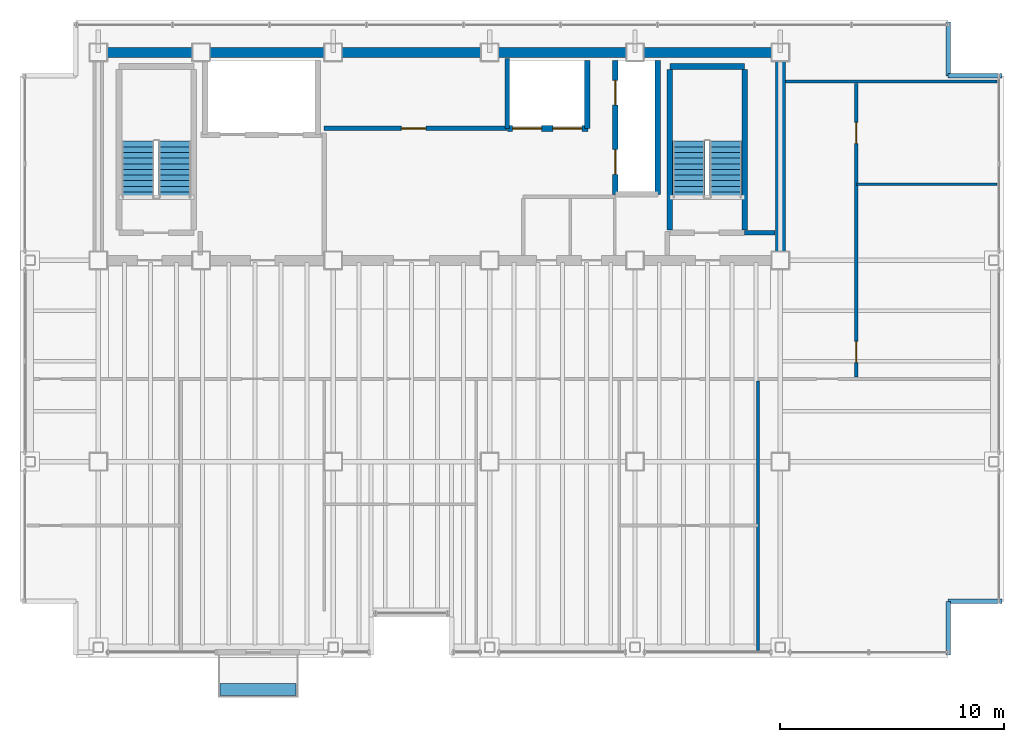
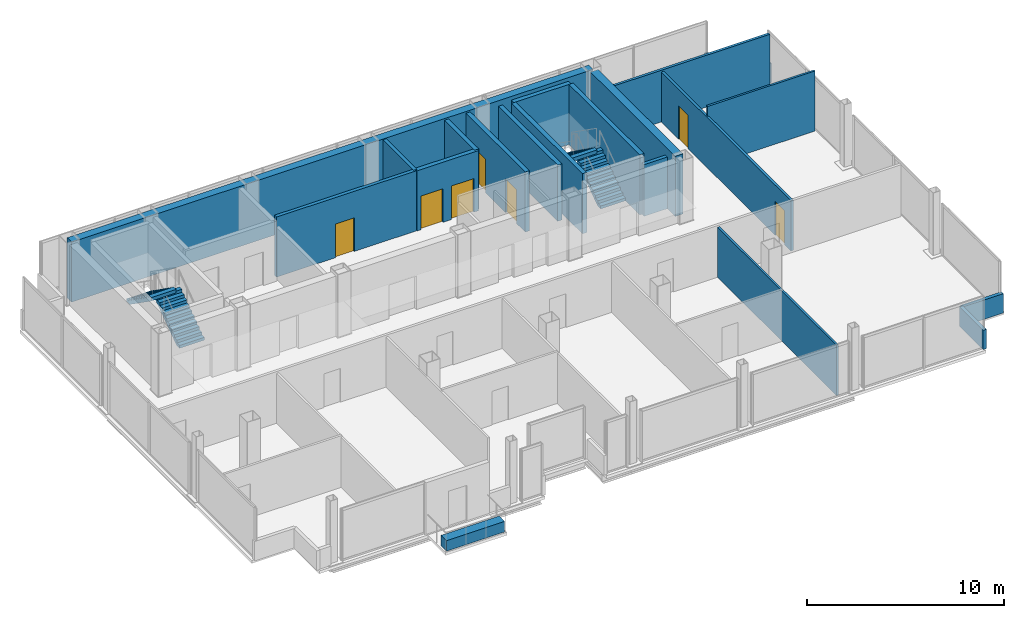
# One storey, part 14 of 15: 20 walls, 7 doors, 4 stair flights, 1 discrete accessory, 7 openings, 2 elements without a shape of their own.
"""IFC4 building model written with IfcOpenShell, lengths in metres."""

from ifc_helpers import new_model, si_unit, direction, frame, frame_2d, origin, origin_2d, place, context, subcontext, project, spatial, polyline, rectangle, outline, extrude, material, layer, layer_set, type_object, element, fill, aggregate, save


model = new_model("IFC4")

# Units and contexts
model_context = context("Model", 3, precision=1e-05, world=origin(), true_north=direction((0.0, 1.0)))
body_context = subcontext(model_context, "Body", "Model", "MODEL_VIEW")
ifc_project = project(units=[si_unit("LENGTHUNIT", "METRE"), si_unit("AREAUNIT", "SQUARE_METRE"), si_unit("VOLUMEUNIT", "CUBIC_METRE"), si_unit("PLANEANGLEUNIT", "RADIAN"), si_unit("MASSUNIT", "GRAM", prefix="KILO")], contexts=[model_context])

# Site, building, storey
site_placement = place(None, origin())
site = spatial("IfcSite", under=ifc_project, at=site_placement, CompositionType="ELEMENT")
building_placement = place(site_placement, origin())
building = spatial("IfcBuilding", under=site, at=building_placement, Name="Noeulbin Bourse Tower", CompositionType="ELEMENT")
storey_placement = place(building_placement, frame((0.0, 0.0, 222.800048828125)))
storey = spatial("IfcBuildingStorey", under=building, at=storey_placement, Name="L55", CompositionType="ELEMENT", Elevation=222.800048828125)

# Walls
ifc_material_1 = material(Name="Concrete C50/60", Category="concrete")
ifc_layer_1 = layer(ifc_material_1, 0.449951171875)
ifc_layer_set_1 = layer_set([ifc_layer_1], Name="Concrete C50/60")
wall_type_1 = type_object("IfcWallType", Name="WAL-CORE-450", PredefinedType="SHEAR", material=ifc_layer_set_1)
wall_1_placement = place(storey_placement, frame((13.5, 38.300048828125, 0.0), z_axis=(0.0, 0.0, 1.0), x_axis=(1.0, 0.0, 0.0)))
element("IfcWall", 1, at=wall_1_placement, inside=storey, type_object=wall_type_1, Name="Rear Core North Shear Wall L55", PredefinedType="SHEAR", context=body_context, shape_type="SweptSolid", body=[
    extrude(rectangle(XDim=30.5, YDim=0.449951171875, at=frame_2d((15.25, 0.0))), origin(), (0.0, 0.0, 1.0), 3.719970703125),
])
wall_2_placement = place(storey_placement, frame((44.0, 29.35009765625, 0.0), z_axis=(0.0, 0.0, 1.0), x_axis=(0.0, 1.0, 0.0)))
element("IfcWall", 2, at=wall_2_placement, inside=storey, type_object=wall_type_1, Name="Rear Core East Shear Wall L55", PredefinedType="SHEAR", context=body_context, shape_type="SweptSolid", body=[
    extrude(rectangle(XDim=8.599853515625, YDim=0.449951171875, at=frame_2d((4.2998046875, 0.0))), origin(), (0.0, 0.0, 1.0), 3.719970703125),
])
ifc_material_2 = material(Name="Concrete C40/50", Category="concrete")
ifc_layer_2 = layer(ifc_material_2, 0.199951171875)
ifc_layer_set_2 = layer_set([ifc_layer_2], Name="Concrete C40/50")
wall_type_2 = type_object("IfcWallType", Name="WAL-FIRE-200", PredefinedType="STANDARD", material=ifc_layer_set_2)
wall_3_placement = place(storey_placement, frame((42.39990234375, 30.239990234375, 0.0), z_axis=(0.0, 0.0, 1.0), x_axis=(1.0, 0.0, 0.0)))
element("IfcWall", 3, at=wall_3_placement, inside=storey, type_object=wall_type_2, Name="Interior Partition Wall L55-01", PredefinedType="STANDARD", context=body_context, shape_type="SweptSolid", body=[
    extrude(rectangle(XDim=1.364990234375, YDim=0.199951171875, at=frame_2d((0.6826171875, 0.0))), origin(), (0.0, 0.0, 1.0), 3.199951171875),
])

# Wall, opening, door
wall_4_placement = place(storey_placement, frame((23.60009765625, 34.89990234375, 0.0), z_axis=(0.0, 0.0, 1.0), x_axis=(1.0, 0.0, 0.0)))
wall_4 = element("IfcWall", 4, at=wall_4_placement, inside=storey, type_object=wall_type_2, Name="Interior Partition Wall L55-02", PredefinedType="STANDARD", context=body_context, shape_type="SweptSolid", body=[
    extrude(rectangle(XDim=8.179931640625, YDim=0.199951171875, at=frame_2d((4.08984375, 0.0))), origin(), (0.0, 0.0, 1.0), 3.719970703125),
])
opening_1_placement = place(wall_4_placement, frame((3.449951171875, 0.0, 0.0)))
opening_1 = element("IfcOpeningElement", 5, at=opening_1_placement, cuts=wall_4, Name="Opening FD-11", PredefinedType="OPENING", context=body_context, shape_type="SweptSolid", body=[
    extrude(rectangle(XDim=1.10009765625, YDim=2.080078125, at=frame_2d((0.550048828125, 1.0400390625))), frame((0.0, 0.10986328125, 0.0), z_axis=(0.0, -1.0, 0.0), x_axis=(1.0, 0.0, 0.0)), (0.0, 0.0, 1.0), 0.219970703125),
])
ifc_material_3 = material(Name="Fire-Rated Insulated Steel", Category="steel")
door_type_1 = type_object("IfcDoorType", Name="DR-FD60-1100", OperationType="SINGLE_SWING_LEFT", PredefinedType="DOOR", material=ifc_material_3)
door_1_placement = place(opening_1_placement, origin())
door_1 = element("IfcDoor", 6, at=door_1_placement, inside=storey, type_object=door_type_1, Name="Telemetry Server Door L55", OperationType="SINGLE_SWING_RIGHT", OverallHeight=2.080078125, OverallWidth=1.10009765625, PredefinedType="DOOR", context=body_context, shape_type="SweptSolid", body=[
    extrude(rectangle(XDim=1.10009765625, YDim=2.080078125, at=frame_2d((0.550048828125, 1.0400390625))), frame((0.0, 0.02490234375, 0.0), z_axis=(0.0, -1.0, 0.0), x_axis=(1.0, 0.0, 0.0)), (0.0, 0.0, 1.0), 0.050048828125),
])
fill(opening_1, door_1)

# Walls
ifc_layer_3 = layer(ifc_material_2, 0.199951171875)
ifc_layer_set_3 = layer_set([ifc_layer_3], Name="Concrete C40/50")
wall_type_3 = type_object("IfcWallType", Name="WAL-PAR-200", PredefinedType="PARAPET", material=ifc_layer_set_3)
for number, where, z_axis, x_axis, name in (
    (7, (51.5, 11.35009765625, 0.0), (0.0, 0.0, 1.0), (0.0, 1.0, 0.0), "Corner Notch Parapet L55-SE1"),
    (8, (51.5, 13.75, 0.0), (0.0, 0.0, 1.0), (1.0, 0.0, 0.0), "Corner Notch Parapet L55-SE2"),
    (9, (51.5, 39.64990234375, 0.0), (0.0, 0.0, 1.0), (0.0, -1.0, 0.0), "Corner Notch Parapet L55-NE1"),
    (10, (51.5, 37.25, 0.0), (0.0, 0.0, 1.0), (1.0, 0.0, 0.0), "Corner Notch Parapet L55-NE2"),
):
    element("IfcWall", number, at=place(storey_placement, frame(where, z_axis=z_axis, x_axis=x_axis)), inside=storey, type_object=wall_type_3, Name=name, PredefinedType="PARAPET", context=body_context, shape_type="SweptSolid", body=[
        extrude(rectangle(XDim=2.39990234375, YDim=0.199951171875, at=frame_2d((1.199951171875, 0.0))), origin(), (0.0, 0.0, 1.0), 1.199951171875),
    ])
ifc_material_4 = material(Name="Steel Stud Gypsum Partition", Category="steel")
ifc_layer_4 = layer(ifc_material_4, 0.1201171875)
ifc_layer_set_4 = layer_set([ifc_layer_4], Name="Steel Stud Gypsum Partition")
wall_type_4 = type_object("IfcWallType", Name="WAL-PRT-120", PredefinedType="PARTITIONING", material=ifc_layer_set_4)
wall_5_placement = place(storey_placement, frame((47.39990234375, 32.39990234375, 0.0), z_axis=(0.0, 0.0, 1.0), x_axis=(1.0, 0.0, 0.0)))
element("IfcWall", 11, at=wall_5_placement, inside=storey, type_object=wall_type_4, Name="Interior Partition Wall L55-09", PredefinedType="PARTITIONING", context=body_context, shape_type="SweptSolid", body=[
    extrude(rectangle(XDim=6.2900390625, YDim=0.1201171875, at=frame_2d((3.14501953125, 0.0))), origin(), (0.0, 0.0, 1.0), 3.719970703125),
])
wall_6_placement = place(storey_placement, frame((43.0, 11.56005859375, 0.0), z_axis=(0.0, 0.0, 1.0), x_axis=(0.0, 1.0, 0.0)))
element("IfcWall", 12, at=wall_6_placement, inside=storey, type_object=wall_type_4, Name="Interior Partition Wall L55-21", PredefinedType="PARTITIONING", context=body_context, shape_type="SweptSolid", body=[
    extrude(rectangle(XDim=12.054931640625, YDim=0.1201171875, at=frame_2d((6.02734375, 0.0))), origin(), (0.0, 0.0, 1.0), 3.099853515625),
])
ifc_material_5 = material(Name="Steel Stud Acoustic Gypsum Board", Category="steel")
ifc_layer_5 = layer(ifc_material_5, 0.14990234375)
ifc_layer_set_5 = layer_set([ifc_layer_5], Name="Steel Stud Acoustic Gypsum Board")
wall_type_5 = type_object("IfcWallType", Name="WAL-PRT-150", PredefinedType="PARTITIONING", material=ifc_layer_set_5)
wall_7_placement = place(storey_placement, frame((44.235107421875, 37.0, 0.0), z_axis=(0.0, 0.0, 1.0), x_axis=(1.0, 0.0, 0.0)))
element("IfcWall", 13, at=wall_7_placement, inside=storey, type_object=wall_type_5, Name="Interior Partition Wall L55-05", PredefinedType="PARTITIONING", context=body_context, shape_type="SweptSolid", body=[
    extrude(rectangle(XDim=9.454833984375, YDim=0.14990234375, at=frame_2d((4.7275390625, 0.0))), origin(), (0.0, 0.0, 1.0), 3.199951171875),
])

# Wall, openings, doors
wall_8_placement = place(storey_placement, frame((47.39990234375, 23.784912109375, 0.0), z_axis=(0.0, 0.0, 1.0), x_axis=(0.0, 1.0, 0.0)))
wall_8 = element("IfcWall", 14, at=wall_8_placement, inside=storey, type_object=wall_type_5, Name="Interior Partition Wall L55-16", PredefinedType="PARTITIONING", context=body_context, shape_type="SweptSolid", body=[
    extrude(rectangle(XDim=13.130126953125, YDim=0.14990234375, at=frame_2d((6.56494140625, 0.0))), origin(), (0.0, 0.0, 1.0), 3.099853515625),
])
opening_2_placement = place(wall_8_placement, frame((0.639892578125, 0.0, 0.0)))
opening_2 = element("IfcOpeningElement", 15, at=opening_2_placement, cuts=wall_8, Name="Opening ID-09", PredefinedType="OPENING", context=body_context, shape_type="SweptSolid", body=[
    extrude(rectangle(XDim=0.949951171875, YDim=2.080078125, at=frame_2d((0.47509765625, 1.0400390625))), frame((0.0, 0.0849609375, 0.0), z_axis=(0.0, -1.0, 0.0), x_axis=(1.0, 0.0, 0.0)), (0.0, 0.0, 1.0), 0.169921875),
])
opening_3_placement = place(wall_8_placement, frame((10.43994140625, 0.0, 0.0)))
opening_3 = element("IfcOpeningElement", 16, at=opening_3_placement, cuts=wall_8, Name="Opening ID-09", PredefinedType="OPENING", context=body_context, shape_type="SweptSolid", body=[
    extrude(rectangle(XDim=0.949951171875, YDim=2.080078125, at=frame_2d((0.47509765625, 1.0400390625))), frame((0.0, 0.0849609375, 0.0), z_axis=(0.0, -1.0, 0.0), x_axis=(1.0, 0.0, 0.0)), (0.0, 0.0, 1.0), 0.169921875),
])
ifc_material_6 = material(Name="Acoustic Solid-Core Timber", Category="wood")
door_type_2 = type_object("IfcDoorType", Name="DR-SINGLE-950", OperationType="SINGLE_SWING_LEFT", PredefinedType="DOOR", material=ifc_material_6)
door_2_placement = place(opening_2_placement, origin())
door_2 = element("IfcDoor", 17, at=door_2_placement, inside=storey, type_object=door_type_2, Name="Interior Door L55-17", OperationType="SINGLE_SWING_RIGHT", OverallHeight=2.080078125, OverallWidth=0.949951171875, PredefinedType="DOOR", context=body_context, shape_type="SweptSolid", body=[
    extrude(rectangle(XDim=0.949951171875, YDim=2.080078125, at=frame_2d((0.47509765625, 1.0400390625))), frame((0.0, 0.02490234375, 0.0), z_axis=(0.0, -1.0, 0.0), x_axis=(1.0, 0.0, 0.0)), (0.0, 0.0, 1.0), 0.050048828125),
])
fill(opening_2, door_2)
door_3_placement = place(opening_3_placement, origin())
door_3 = element("IfcDoor", 18, at=door_3_placement, inside=storey, type_object=door_type_2, Name="Interior Door L55-18", OperationType="SINGLE_SWING_LEFT", OverallHeight=2.080078125, OverallWidth=0.949951171875, PredefinedType="DOOR", context=body_context, shape_type="SweptSolid", body=[
    extrude(rectangle(XDim=0.949951171875, YDim=2.080078125, at=frame_2d((0.47509765625, 1.0400390625))), frame((0.0, 0.02490234375, 0.0), z_axis=(0.0, -1.0, 0.0), x_axis=(1.0, 0.0, 0.0)), (0.0, 0.0, 1.0), 0.050048828125),
])
fill(opening_3, door_3)

# Walls
ifc_layer_6 = layer(ifc_material_2, 0.25)
ifc_layer_set_6 = layer_set([ifc_layer_6], Name="Concrete C40/50")
wall_type_6 = type_object("IfcWallType", Name="WAL-SHFT-250", PredefinedType="STANDARD", material=ifc_layer_set_6)
wall_9_placement = place(storey_placement, frame((39.06005859375, 37.6689453125, 0.0), z_axis=(0.0, 0.0, 1.0), x_axis=(1.0, 0.0, 0.0)))
element("IfcWall", 19, at=wall_9_placement, inside=storey, type_object=wall_type_6, Name="Stair ST-2 North Shaft Wall L55", PredefinedType="STANDARD", context=body_context, shape_type="SweptSolid", body=[
    extrude(rectangle(XDim=3.33984375, YDim=0.25, at=frame_2d((1.669921875, 0.0))), origin(), (0.0, 0.0, 1.0), 3.719970703125),
])
for number, where, z_axis, x_axis, name in (
    (20, (39.054931640625, 30.360107421875, 0.0), (0.0, 0.0, 1.0), (0.0, 1.0, 0.0), "Stair ST-2 West Shaft Wall L55"),
    (21, (42.405029296875, 30.360107421875, 0.0), (0.0, 0.0, 1.0), (0.0, 1.0, 0.0), "Stair ST-2 East Shaft Wall L55"),
):
    element("IfcWall", number, at=place(storey_placement, frame(where, z_axis=z_axis, x_axis=x_axis)), inside=storey, type_object=wall_type_6, Name=name, PredefinedType="STANDARD", context=body_context, shape_type="SweptSolid", body=[
        extrude(rectangle(XDim=7.183837890625, YDim=0.25, at=frame_2d((3.591796875, 0.0))), origin(), (0.0, 0.0, 1.0), 3.719970703125),
    ])

# Wall, openings, doors
wall_10_placement = place(storey_placement, frame((36.6201171875, 31.949951171875, 0.0), z_axis=(0.0, 0.0, 1.0), x_axis=(0.0, 1.0, 0.0)))
wall_10 = element("IfcWall", 22, at=wall_10_placement, inside=storey, type_object=wall_type_6, Name="Service Lift Shaft Wall L55", PredefinedType="STANDARD", context=body_context, shape_type="SweptSolid", body=[
    extrude(rectangle(XDim=6.0, YDim=0.25, at=frame_2d((3.0, 0.0))), origin(), (0.0, 0.0, 1.0), 3.719970703125),
])
opening_4_placement = place(wall_10_placement, frame((0.89990234375, 0.0, 0.0)))
opening_4 = element("IfcOpeningElement", 23, at=opening_4_placement, cuts=wall_10, Name="Opening LD-11", PredefinedType="OPENING", context=body_context, shape_type="SweptSolid", body=[
    extrude(rectangle(XDim=1.10009765625, YDim=2.080078125, at=frame_2d((0.550048828125, 1.0400390625))), frame((0.0, 0.135009765625, 0.0), z_axis=(0.0, -1.0, 0.0), x_axis=(1.0, 0.0, 0.0)), (0.0, 0.0, 1.0), 0.27001953125),
])
opening_5_placement = place(wall_10_placement, frame((4.0, 0.0, 0.0)))
opening_5 = element("IfcOpeningElement", 24, at=opening_5_placement, cuts=wall_10, Name="Opening LD-11", PredefinedType="OPENING", context=body_context, shape_type="SweptSolid", body=[
    extrude(rectangle(XDim=1.10009765625, YDim=2.080078125, at=frame_2d((0.550048828125, 1.0400390625))), frame((0.0, 0.135009765625, 0.0), z_axis=(0.0, -1.0, 0.0), x_axis=(1.0, 0.0, 0.0)), (0.0, 0.0, 1.0), 0.27001953125),
])
ifc_material_7 = material(Name="Brushed Stainless Steel 316", Category="steel")
door_type_3 = type_object("IfcDoorType", Name="DR-LIFT-1100", OperationType="SLIDING_TO_LEFT", PredefinedType="DOOR", material=ifc_material_7)
door_4_placement = place(opening_4_placement, origin())
door_4 = element("IfcDoor", 25, at=door_4_placement, inside=storey, type_object=door_type_3, Name="Lift Landing Door LD-EL-01-L55", OperationType="SLIDING_TO_LEFT", OverallHeight=2.080078125, OverallWidth=1.10009765625, PredefinedType="DOOR", context=body_context, shape_type="SweptSolid", body=[
    extrude(rectangle(XDim=1.10009765625, YDim=2.080078125, at=frame_2d((0.550048828125, 1.0400390625))), frame((0.0, 0.02490234375, 0.0), z_axis=(0.0, -1.0, 0.0), x_axis=(1.0, 0.0, 0.0)), (0.0, 0.0, 1.0), 0.050048828125),
])
fill(opening_4, door_4)
door_5_placement = place(opening_5_placement, origin())
door_5 = element("IfcDoor", 26, at=door_5_placement, inside=storey, type_object=door_type_3, Name="Lift Landing Door LD-SV-01-L55", OperationType="SLIDING_TO_LEFT", OverallHeight=2.080078125, OverallWidth=1.10009765625, PredefinedType="DOOR", context=body_context, shape_type="SweptSolid", body=[
    extrude(rectangle(XDim=1.10009765625, YDim=2.080078125, at=frame_2d((0.550048828125, 1.0400390625))), frame((0.0, 0.02490234375, 0.0), z_axis=(0.0, -1.0, 0.0), x_axis=(1.0, 0.0, 0.0)), (0.0, 0.0, 1.0), 0.050048828125),
])
fill(opening_5, door_5)

# Walls
wall_11_placement = place(storey_placement, frame((38.52001953125, 31.949951171875, 0.0), z_axis=(0.0, 0.0, 1.0), x_axis=(0.0, 1.0, 0.0)))
element("IfcWall", 27, at=wall_11_placement, inside=storey, type_object=wall_type_6, Name="Service Lift East Shaft Wall L55", PredefinedType="STANDARD", context=body_context, shape_type="SweptSolid", body=[
    extrude(rectangle(XDim=6.0, YDim=0.25, at=frame_2d((3.0, 0.0))), origin(), (0.0, 0.0, 1.0), 3.47998046875),
])
wall_12_placement = place(storey_placement, frame((35.360107421875, 34.89990234375, 0.0), z_axis=(0.0, 0.0, 1.0), x_axis=(0.0, 1.0, 0.0)))
element("IfcWall", 28, at=wall_12_placement, inside=storey, type_object=wall_type_6, Name="High-Rise Lift East Shaft Wall L55", PredefinedType="STANDARD", context=body_context, shape_type="SweptSolid", body=[
    extrude(rectangle(XDim=3.050048828125, YDim=0.25, at=frame_2d((1.52490234375, 0.0))), origin(), (0.0, 0.0, 1.0), 3.719970703125),
])

# Wall, openings, doors
wall_13_placement = place(storey_placement, frame((31.800048828125, 34.89990234375, 0.0), z_axis=(0.0, 0.0, 1.0), x_axis=(1.0, 0.0, 0.0)))
wall_13 = element("IfcWall", 29, at=wall_13_placement, inside=storey, type_object=wall_type_6, Name="High-Rise Lift Bank Front L55", PredefinedType="STANDARD", context=body_context, shape_type="SweptSolid", body=[
    extrude(rectangle(XDim=3.599853515625, YDim=0.25, at=frame_2d((1.7998046875, 0.0))), origin(), (0.0, 0.0, 1.0), 3.719970703125),
])
opening_6_placement = place(wall_13_placement, frame((0.22998046875, 0.0, 0.0)))
opening_6 = element("IfcOpeningElement", 30, at=opening_6_placement, cuts=wall_13, Name="Opening LD-13", PredefinedType="OPENING", context=body_context, shape_type="SweptSolid", body=[
    extrude(rectangle(XDim=1.300048828125, YDim=2.080078125, at=frame_2d((0.64990234375, 1.0400390625))), frame((0.0, 0.135009765625, 0.0), z_axis=(0.0, -1.0, 0.0), x_axis=(1.0, 0.0, 0.0)), (0.0, 0.0, 1.0), 0.27001953125),
])
opening_7_placement = place(wall_13_placement, frame((2.030029296875, 0.0, 0.0)))
opening_7 = element("IfcOpeningElement", 31, at=opening_7_placement, cuts=wall_13, Name="Opening LD-13", PredefinedType="OPENING", context=body_context, shape_type="SweptSolid", body=[
    extrude(rectangle(XDim=1.300048828125, YDim=2.080078125, at=frame_2d((0.64990234375, 1.0400390625))), frame((0.0, 0.135009765625, 0.0), z_axis=(0.0, -1.0, 0.0), x_axis=(1.0, 0.0, 0.0)), (0.0, 0.0, 1.0), 0.27001953125),
])
door_type_4 = type_object("IfcDoorType", Name="DR-LIFT-1300", OperationType="DOUBLE_DOOR_SLIDING", PredefinedType="DOOR", material=ifc_material_7)
door_6_placement = place(opening_6_placement, origin())
door_6 = element("IfcDoor", 32, at=door_6_placement, inside=storey, type_object=door_type_4, Name="Lift Landing Door LD-PL-H1-L55", OperationType="DOUBLE_DOOR_SLIDING", OverallHeight=2.080078125, OverallWidth=1.300048828125, PredefinedType="DOOR", context=body_context, shape_type="SweptSolid", body=[
    extrude(rectangle(XDim=1.300048828125, YDim=2.080078125, at=frame_2d((0.64990234375, 1.0400390625))), frame((0.0, 0.02490234375, 0.0), z_axis=(0.0, -1.0, 0.0), x_axis=(1.0, 0.0, 0.0)), (0.0, 0.0, 1.0), 0.050048828125),
])
fill(opening_6, door_6)
door_7_placement = place(opening_7_placement, origin())
door_7 = element("IfcDoor", 33, at=door_7_placement, inside=storey, type_object=door_type_4, Name="Lift Landing Door LD-PL-H2-L55", OperationType="DOUBLE_DOOR_SLIDING", OverallHeight=2.080078125, OverallWidth=1.300048828125, PredefinedType="DOOR", context=body_context, shape_type="SweptSolid", body=[
    extrude(rectangle(XDim=1.300048828125, YDim=2.080078125, at=frame_2d((0.64990234375, 1.0400390625))), frame((0.0, 0.02490234375, 0.0), z_axis=(0.0, -1.0, 0.0), x_axis=(1.0, 0.0, 0.0)), (0.0, 0.0, 1.0), 0.050048828125),
])
fill(opening_7, door_7)

# Wall
wall_14_placement = place(storey_placement, frame((31.780029296875, 34.89990234375, 0.0), z_axis=(0.0, 0.0, 1.0), x_axis=(0.0, 1.0, 0.0)))
element("IfcWall", 34, at=wall_14_placement, inside=storey, type_object=wall_type_6, Name="Hoistway Side Shaft Wall L55-PLHW", PredefinedType="STANDARD", context=body_context, shape_type="SweptSolid", body=[
    extrude(rectangle(XDim=3.1201171875, YDim=0.199951171875, at=frame_2d((1.56005859375, 0.0))), origin(), (0.0, 0.0, 1.0), 3.719970703125),
])

# Stair, stair flights
stair_type = type_object("IfcStairType", Name="STR-CORE-1560", PredefinedType="HALF_TURN_STAIR", material=ifc_material_2)
stair_1_placement = place(storey_placement, origin())
stair_1 = element("IfcStair", 35, at=stair_1_placement, inside=storey, type_object=stair_type, Name="L55 ST-1", PredefinedType="HALF_TURN_STAIR")
stair_flight_type = type_object("IfcStairFlightType", Name="SFL-CORE-1560", PredefinedType="STRAIGHT", material=ifc_material_2)
stair_flight_1_placement = place(storey_placement, frame((16.925048828125, 31.81005859375, 0.0), z_axis=(0.0, 0.0, 1.0), x_axis=(0.0, 1.0, 0.0)))
stair_flight_1 = element("IfcStairFlight", 36, at=stair_flight_1_placement, type_object=stair_flight_type, Name="ST-1 flight 1", NumberOfRisers=11, NumberOfTreads=10, PredefinedType="STRAIGHT", RiserHeight=0.177272727, TreadLength=0.252, context=body_context, shape_type="SweptSolid", body=[
    extrude(outline(polyline([(0.0, 0.0), (0.0, 0.17724609375), (0.251953125, 0.17724609375), (0.251953125, 0.3544921875), (0.50390625, 0.3544921875), (0.50390625, 0.53173828125), (0.756103515625, 0.53173828125), (0.756103515625, 0.708984375), (1.008056640625, 0.708984375), (1.008056640625, 0.886474609375), (1.260009765625, 0.886474609375), (1.260009765625, 1.063720703125), (1.511962890625, 1.063720703125), (1.511962890625, 1.240966796875), (1.763916015625, 1.240966796875), (1.763916015625, 1.418212890625), (2.01611328125, 1.418212890625), (2.01611328125, 1.595458984375), (2.26806640625, 1.595458984375), (2.26806640625, 1.772705078125), (2.52001953125, 1.772705078125), (2.52001953125, 1.949951171875), (2.52001953125, 1.552734375), (0.312744140625, 0.0), (0.0, 0.0)])), frame((0.0, 0.72509765625, 0.0), z_axis=(0.0, -1.0, 0.0), x_axis=(1.0, 0.0, 0.0)), (0.0, 0.0, 1.0), 1.449951171875),
])
stair_flight_2_placement = place(storey_placement, frame((15.27490234375, 34.330078125, 1.949951171875), z_axis=(0.0, 0.0, 1.0), x_axis=(0.0, -1.0, 0.0)))
stair_flight_2 = element("IfcStairFlight", 37, at=stair_flight_2_placement, type_object=stair_flight_type, Name="ST-1 flight 2", NumberOfRisers=11, NumberOfTreads=10, PredefinedType="STRAIGHT", RiserHeight=0.177272727, TreadLength=0.252, context=body_context, shape_type="SweptSolid", body=[
    extrude(outline(polyline([(0.0, 0.0), (0.0, 0.17724609375), (0.251953125, 0.17724609375), (0.251953125, 0.3544921875), (0.50390625, 0.3544921875), (0.50390625, 0.53173828125), (0.756103515625, 0.53173828125), (0.756103515625, 0.708984375), (1.008056640625, 0.708984375), (1.008056640625, 0.886474609375), (1.260009765625, 0.886474609375), (1.260009765625, 1.063720703125), (1.511962890625, 1.063720703125), (1.511962890625, 1.240966796875), (1.763916015625, 1.240966796875), (1.763916015625, 1.418212890625), (2.01611328125, 1.418212890625), (2.01611328125, 1.595458984375), (2.26806640625, 1.595458984375), (2.26806640625, 1.772705078125), (2.52001953125, 1.772705078125), (2.52001953125, 1.949951171875), (2.52001953125, 1.552734375), (0.312744140625, 0.0), (0.0, 0.0)])), frame((0.0, 0.72509765625, 0.0), z_axis=(0.0, -1.0, 0.0), x_axis=(1.0, 0.0, 0.0)), (0.0, 0.0, 1.0), 1.449951171875),
])
aggregate(stair_1, [stair_flight_1, stair_flight_2])

stair_2_placement = place(storey_placement, origin())
stair_2 = element("IfcStair", 38, at=stair_2_placement, inside=storey, type_object=stair_type, Name="L55 ST-2", PredefinedType="HALF_TURN_STAIR")
stair_flight_3_placement = place(storey_placement, frame((41.554931640625, 31.81005859375, 0.0), z_axis=(0.0, 0.0, 1.0), x_axis=(0.0, 1.0, 0.0)))
stair_flight_3 = element("IfcStairFlight", 39, at=stair_flight_3_placement, type_object=stair_flight_type, Name="ST-2 flight 1", NumberOfRisers=11, NumberOfTreads=10, PredefinedType="STRAIGHT", RiserHeight=0.177272727, TreadLength=0.252, context=body_context, shape_type="SweptSolid", body=[
    extrude(outline(polyline([(0.0, 0.0), (0.0, 0.17724609375), (0.251953125, 0.17724609375), (0.251953125, 0.3544921875), (0.50390625, 0.3544921875), (0.50390625, 0.53173828125), (0.756103515625, 0.53173828125), (0.756103515625, 0.708984375), (1.008056640625, 0.708984375), (1.008056640625, 0.886474609375), (1.260009765625, 0.886474609375), (1.260009765625, 1.063720703125), (1.511962890625, 1.063720703125), (1.511962890625, 1.240966796875), (1.763916015625, 1.240966796875), (1.763916015625, 1.418212890625), (2.01611328125, 1.418212890625), (2.01611328125, 1.595458984375), (2.26806640625, 1.595458984375), (2.26806640625, 1.772705078125), (2.52001953125, 1.772705078125), (2.52001953125, 1.949951171875), (2.52001953125, 1.552734375), (0.312744140625, 0.0), (0.0, 0.0)])), frame((0.0, 0.72509765625, 0.0), z_axis=(0.0, -1.0, 0.0), x_axis=(1.0, 0.0, 0.0)), (0.0, 0.0, 1.0), 1.449951171875),
])
stair_flight_4_placement = place(storey_placement, frame((39.905029296875, 34.330078125, 1.949951171875), z_axis=(0.0, 0.0, 1.0), x_axis=(0.0, -1.0, 0.0)))
stair_flight_4 = element("IfcStairFlight", 40, at=stair_flight_4_placement, type_object=stair_flight_type, Name="ST-2 flight 2", NumberOfRisers=11, NumberOfTreads=10, PredefinedType="STRAIGHT", RiserHeight=0.177272727, TreadLength=0.252, context=body_context, shape_type="SweptSolid", body=[
    extrude(outline(polyline([(0.0, 0.0), (0.0, 0.17724609375), (0.251953125, 0.17724609375), (0.251953125, 0.3544921875), (0.50390625, 0.3544921875), (0.50390625, 0.53173828125), (0.756103515625, 0.53173828125), (0.756103515625, 0.708984375), (1.008056640625, 0.708984375), (1.008056640625, 0.886474609375), (1.260009765625, 0.886474609375), (1.260009765625, 1.063720703125), (1.511962890625, 1.063720703125), (1.511962890625, 1.240966796875), (1.763916015625, 1.240966796875), (1.763916015625, 1.418212890625), (2.01611328125, 1.418212890625), (2.01611328125, 1.595458984375), (2.26806640625, 1.595458984375), (2.26806640625, 1.772705078125), (2.52001953125, 1.772705078125), (2.52001953125, 1.949951171875), (2.52001953125, 1.552734375), (0.312744140625, 0.0), (0.0, 0.0)])), frame((0.0, 0.72509765625, 0.0), z_axis=(0.0, -1.0, 0.0), x_axis=(1.0, 0.0, 0.0)), (0.0, 0.0, 1.0), 1.449951171875),
])
aggregate(stair_2, [stair_flight_3, stair_flight_4])

# Discrete accessory
ifc_material_8 = material(Name="Architectural GFRC Concrete C40/50", Category="concrete")
ifc_layer_7 = layer(ifc_material_8, 0.64990234375)
ifc_layer_set_7 = layer_set([ifc_layer_7], Name="Architectural GFRC Concrete C40/50")
discrete_accessory_type = type_object("IfcDiscreteAccessoryType", Name="PLANTER-BOX-3600", PredefinedType="USERDEFINED", material=ifc_layer_set_7)
discrete_accessory_placement = place(storey_placement, frame((20.64990234375, 9.81005859375, 0.0), z_axis=(0.0, 0.0, 1.0), x_axis=(1.0, 0.0, 0.0)))
element("IfcDiscreteAccessory", 41, at=discrete_accessory_placement, inside=storey, type_object=discrete_accessory_type, Name="Integrated Balcony Tree Planter Box L55", ObjectType="PLANTER", PredefinedType="USERDEFINED", context=body_context, shape_type="SweptSolid", body=[
    extrude(rectangle(XDim=3.39990234375, YDim=0.550048828125, at=origin_2d()), origin(), (0.0, 0.0, 1.0), 0.64990234375),
])

save(model, "model.ifc")
